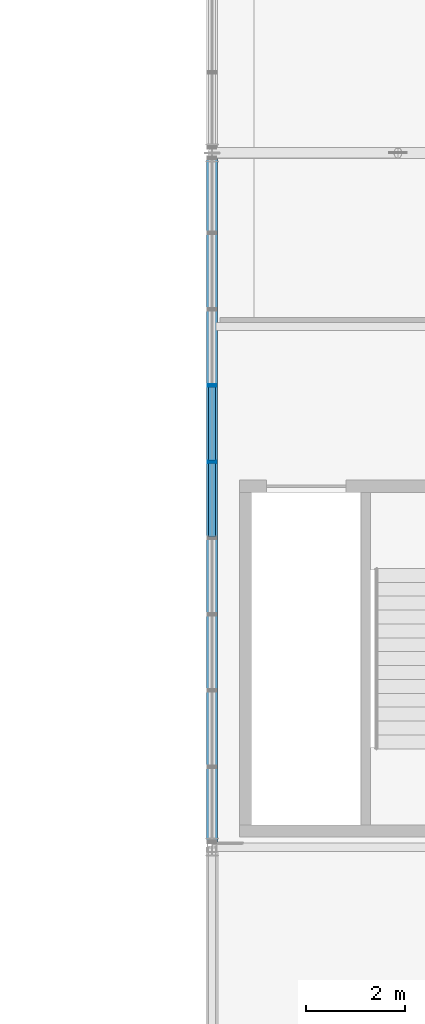
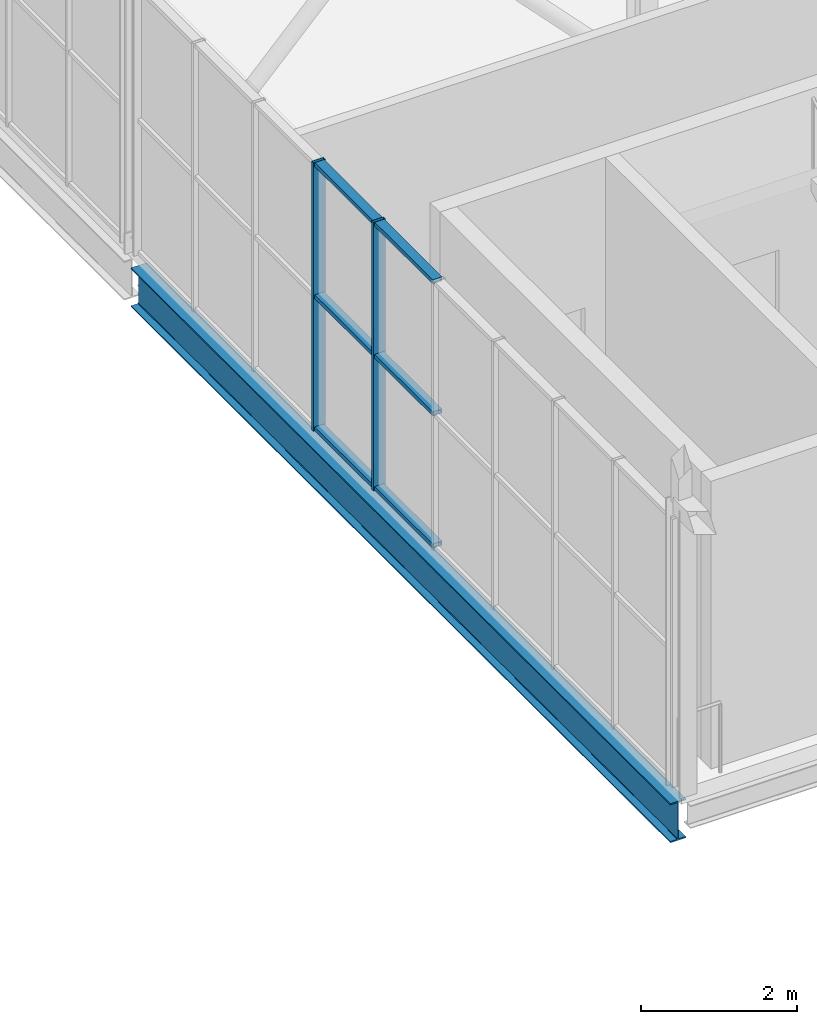
# One storey, part 38 of 104: 8 members, 1 beam, 1 element without a shape of its own.
"""IFC4 building model written with IfcOpenShell, lengths in metres."""

from ifc_helpers import new_model, si_unit, direction, frame, origin, origin_2d, place, context, subcontext, project, spatial, hollow_rectangle, i_section, extrude, material, layer, layer_set, material_profile, profile_set, type_object, element, aggregate, save


model = new_model("IFC4")

# Units and contexts
model_context = context("Model", 3, precision=1e-05, world=origin(), true_north=direction((0.0, 1.0)))
body_context = subcontext(model_context, "Body", "Model", "MODEL_VIEW")
ifc_project = project(units=[si_unit("LENGTHUNIT", "METRE"), si_unit("AREAUNIT", "SQUARE_METRE"), si_unit("VOLUMEUNIT", "CUBIC_METRE"), si_unit("PLANEANGLEUNIT", "RADIAN"), si_unit("MASSUNIT", "GRAM", prefix="KILO")], contexts=[model_context])

# Site, building, storey
site_placement = place(None, origin())
site = spatial("IfcSite", under=ifc_project, at=site_placement, CompositionType="ELEMENT")
building_placement = place(site_placement, origin())
building = spatial("IfcBuilding", under=site, at=building_placement, Name="Solvenia Promenade Tram Depot", CompositionType="ELEMENT")
storey_placement = place(building_placement, frame((0.0, 0.0, 9.0)))
storey = spatial("IfcBuildingStorey", under=building, at=storey_placement, Name="L02", CompositionType="ELEMENT", Elevation=9.0)

# Curtain wall, members
ifc_material_1 = material(Name="Anodized aluminium AW-6063 T6", Category="aluminium")
ifc_layer = layer(ifc_material_1, 0.14990234375, Name="Anodized aluminium AW-6063 T6", Category="aluminium")
ifc_layer_set = layer_set([ifc_layer], Name="Anodized aluminium AW-6063 T6")
curtain_wall_type = type_object("IfcCurtainWallType", Name="CW-Court-1500", PredefinedType="NOTDEFINED", material=ifc_layer_set)
curtain_wall_placement = place(storey_placement, origin())
curtain_wall = element("IfcCurtainWall", 1, at=curtain_wall_placement, inside=storey, type_object=curtain_wall_type, Name="Curtain Wall CW-V2W-L2-1", PredefinedType="NOTDEFINED")
ifc_material_profile_1 = material_profile(ifc_material_1, hollow_rectangle(XDim=0.179931640625, YDim=0.050048828125, WallThickness=0.00390625, at=origin_2d()), Name="ALU-M2", Category="aluminium")
ifc_profile_set_1 = profile_set([ifc_material_profile_1], Name="Anodized aluminium AW-6063 T6")
member_type_1 = type_object("IfcMemberType", Name="CWM-Mullion-2", PredefinedType="MULLION", material=ifc_profile_set_1)
member_1_placement = place(storey_placement, frame((105.0, 45.768798828125, 0.0), z_axis=(0.0, 0.0, 1.0), x_axis=(-1.0, 0.0, 0.0)))
member_1 = element("IfcMember", 2, at=member_1_placement, type_object=member_type_1, Name="CW-5 mullion 6", PredefinedType="MULLION", context=body_context, shape_type="SweptSolid", body=[
    extrude(hollow_rectangle(XDim=0.179931640625, YDim=0.050048828125, WallThickness=0.00390625, at=origin_2d()), origin(), (0.0, 0.0, 1.0), 4.199951171875),
])
member_2_placement = place(storey_placement, frame((105.0, 47.306640625, 0.0), z_axis=(0.0, 0.0, 1.0), x_axis=(-1.0, 0.0, 0.0)))
member_2 = element("IfcMember", 3, at=member_2_placement, type_object=member_type_1, Name="CW-5 mullion 7", PredefinedType="MULLION", context=body_context, shape_type="SweptSolid", body=[
    extrude(hollow_rectangle(XDim=0.179931640625, YDim=0.050048828125, WallThickness=0.00390625, at=origin_2d()), origin(), (0.0, 0.0, 1.0), 4.199951171875),
])
ifc_material_profile_2 = material_profile(ifc_material_1, hollow_rectangle(XDim=0.139892578125, YDim=0.06494140625, WallThickness=0.00390625, at=origin_2d()), Name="ALU-T2", Category="aluminium")
ifc_profile_set_2 = profile_set([ifc_material_profile_2], Name="Anodized aluminium AW-6063 T6")
member_type_2 = type_object("IfcMemberType", Name="CWT-Transom-2", PredefinedType="USERDEFINED", material=ifc_profile_set_2)
member_3_placement = place(storey_placement, frame((105.0, 44.256103515625, 0.032470703125), z_axis=(0.0, 1.0, 0.0), x_axis=(-1.0, 0.0, 0.0)))
member_3 = element("IfcMember", 4, at=member_3_placement, type_object=member_type_2, Name="CW-5 transom 5.1", ObjectType="TRANSOM", PredefinedType="USERDEFINED", context=body_context, shape_type="SweptSolid", body=[
    extrude(hollow_rectangle(XDim=0.139892578125, YDim=0.06494140625, WallThickness=0.00390625, at=origin_2d()), origin(), (0.0, 0.0, 1.0), 1.48779296875),
])
member_4_placement = place(storey_placement, frame((105.0, 44.256103515625, 2.10009765625), z_axis=(0.0, 1.0, 0.0), x_axis=(-1.0, 0.0, 0.0)))
member_4 = element("IfcMember", 5, at=member_4_placement, type_object=member_type_2, Name="CW-5 transom 5.2", ObjectType="TRANSOM", PredefinedType="USERDEFINED", context=body_context, shape_type="SweptSolid", body=[
    extrude(hollow_rectangle(XDim=0.139892578125, YDim=0.06494140625, WallThickness=0.00390625, at=origin_2d()), origin(), (0.0, 0.0, 1.0), 1.48779296875),
])
member_5_placement = place(storey_placement, frame((105.0, 44.256103515625, 4.16748046875), z_axis=(0.0, 1.0, 0.0), x_axis=(-1.0, 0.0, 0.0)))
member_5 = element("IfcMember", 6, at=member_5_placement, type_object=member_type_2, Name="CW-5 transom 5.3", ObjectType="TRANSOM", PredefinedType="USERDEFINED", context=body_context, shape_type="SweptSolid", body=[
    extrude(hollow_rectangle(XDim=0.139892578125, YDim=0.06494140625, WallThickness=0.00390625, at=origin_2d()), origin(), (0.0, 0.0, 1.0), 1.48779296875),
])
member_6_placement = place(storey_placement, frame((105.0, 45.7939453125, 0.032470703125), z_axis=(0.0, 1.0, 0.0), x_axis=(-1.0, 0.0, 0.0)))
member_6 = element("IfcMember", 7, at=member_6_placement, type_object=member_type_2, Name="CW-5 transom 6.1", ObjectType="TRANSOM", PredefinedType="USERDEFINED", context=body_context, shape_type="SweptSolid", body=[
    extrude(hollow_rectangle(XDim=0.139892578125, YDim=0.06494140625, WallThickness=0.00390625, at=origin_2d()), origin(), (0.0, 0.0, 1.0), 1.48779296875),
])
member_7_placement = place(storey_placement, frame((105.0, 45.7939453125, 2.10009765625), z_axis=(0.0, 1.0, 0.0), x_axis=(-1.0, 0.0, 0.0)))
member_7 = element("IfcMember", 8, at=member_7_placement, type_object=member_type_2, Name="CW-5 transom 6.2", ObjectType="TRANSOM", PredefinedType="USERDEFINED", context=body_context, shape_type="SweptSolid", body=[
    extrude(hollow_rectangle(XDim=0.139892578125, YDim=0.06494140625, WallThickness=0.00390625, at=origin_2d()), origin(), (0.0, 0.0, 1.0), 1.48779296875),
])
member_8_placement = place(storey_placement, frame((105.0, 45.7939453125, 4.16748046875), z_axis=(0.0, 1.0, 0.0), x_axis=(-1.0, 0.0, 0.0)))
member_8 = element("IfcMember", 9, at=member_8_placement, type_object=member_type_2, Name="CW-5 transom 6.3", ObjectType="TRANSOM", PredefinedType="USERDEFINED", context=body_context, shape_type="SweptSolid", body=[
    extrude(hollow_rectangle(XDim=0.139892578125, YDim=0.06494140625, WallThickness=0.00390625, at=origin_2d()), origin(), (0.0, 0.0, 1.0), 1.48779296875),
])
aggregate(curtain_wall, [member_1, member_2, member_3, member_4, member_5, member_6, member_7, member_8])

# Beam
ifc_material_2 = material(Name="Structural steel ASTM A992 Gr. 50", Category="steel")
ifc_material_profile_3 = material_profile(ifc_material_2, i_section(OverallWidth=0.22900390625, OverallDepth=0.612060546875, WebThickness=0.011962890625, FlangeThickness=0.01953125, FilletRadius=0.014892578125, at=origin_2d()), Name="W610x125", Category="steel")
ifc_profile_set_3 = profile_set([ifc_material_profile_3], Name="Structural steel ASTM A992 Gr. 50")
beam_type = type_object("IfcBeamType", Name="Gird-W610x125", PredefinedType="BEAM", material=ifc_profile_set_3)
beam_placement = place(storey_placement, frame((105.0, 38.0849609375, -0.5458984375), z_axis=(0.0, 1.0, 0.0), x_axis=(-1.0, 0.0, 0.0)))
element("IfcBeam", 10, at=beam_placement, inside=storey, type_object=beam_type, Name="Transverse Girder BM-L02-0469", PredefinedType="BEAM", context=body_context, shape_type="SweptSolid", body=[
    extrude(i_section(OverallWidth=0.22900390625, OverallDepth=0.612060546875, WebThickness=0.011962890625, FlangeThickness=0.01953125, FilletRadius=0.014892578125, at=origin_2d()), origin(), (0.0, 0.0, 1.0), 13.830078125),
])

save(model, "model.ifc")
